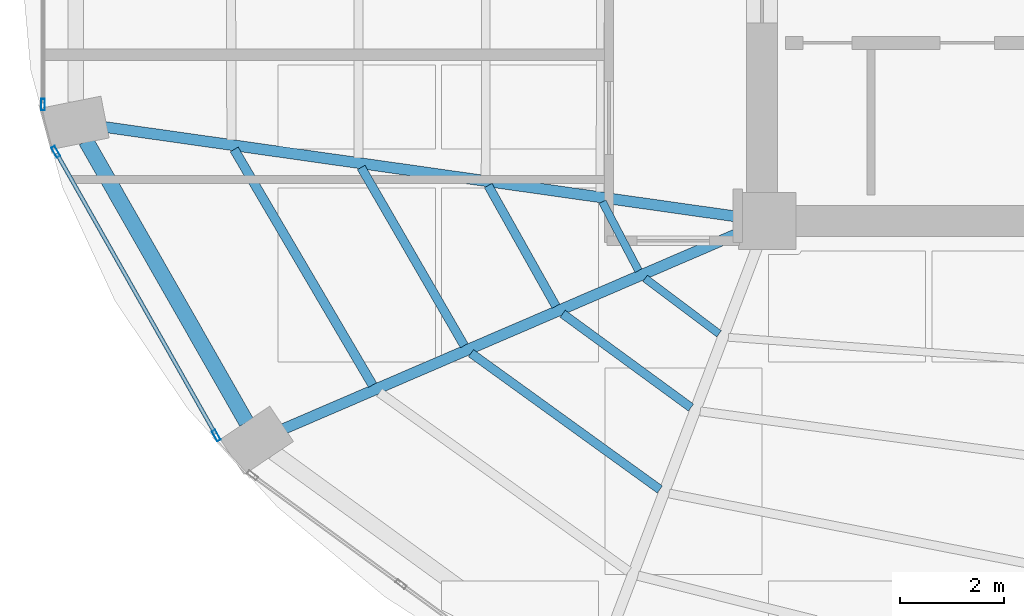
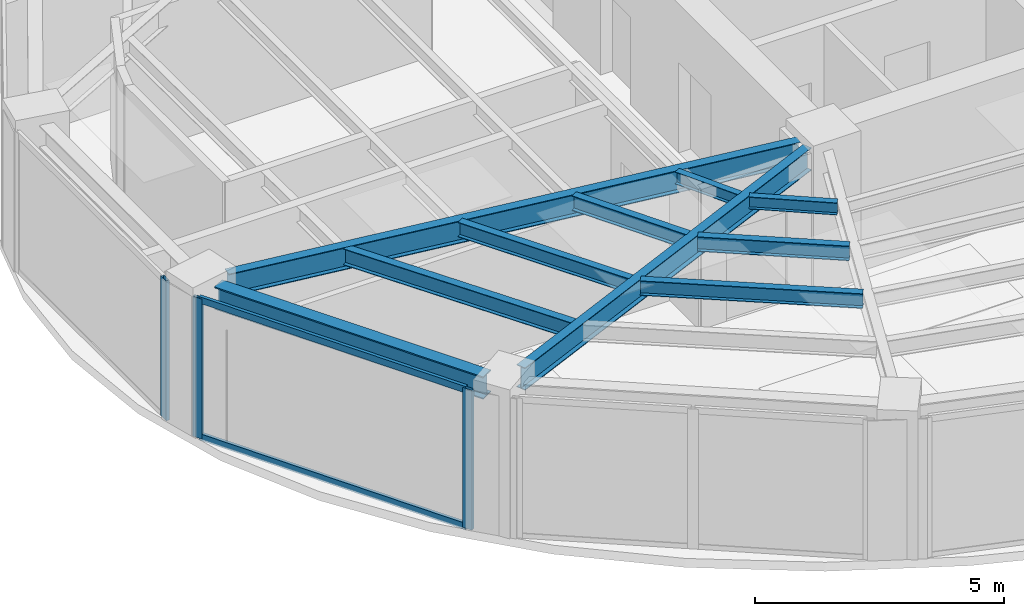
# One storey, part 3 of 20: 10 beams, 5 members, 2 elements without a shape of their own.
"""IFC4 building model written with IfcOpenShell, lengths in metres."""

import ifcopenshell
import ifcopenshell.guid

model = None  # the IFC model being written
_history = None  # IfcOwnerHistory: only IFC2X3 demands one
_inside = {}  # id of a spatial element -> (the spatial element, [elements in it])
_under = {}  # id of a project, library or spatial element -> (it, [spatial elements below it])
_declared = {}  # id of a project -> (the project, [libraries it declares])
_typed = {}  # id of a type object -> (the type object, [elements of that type])
_made_of = {}  # id of a material, layer set ... -> (it, [elements and type objects made of it])


def new_model(schema):
    """Start an empty IFC model of exactly this schema.

    Asked for "IFC4X3", IfcOpenShell would pick the latest addendum, in which some entities
    have other attributes; the version numbers below select the first issue.
    IFC2X3 requires an IfcOwnerHistory on every rooted entity: one is made here for all.
    """
    global model, _history
    if schema == "IFC4X3":
        model = ifcopenshell.file(schema_version=(4, 3, 0, 0))
    else:
        model = ifcopenshell.file(schema=schema)
    _inside.clear()
    _under.clear()
    _declared.clear()
    _typed.clear()
    _made_of.clear()
    _history = None
    if model.schema == "IFC2X3":
        org = make("IfcOrganization", Name="unknown")
        user = make(
            "IfcPersonAndOrganization",
            ThePerson=make("IfcPerson", FamilyName="unknown"),
            TheOrganization=org,
        )
        app = make(
            "IfcApplication",
            ApplicationDeveloper=org,
            Version="unknown",
            ApplicationFullName="unknown",
            ApplicationIdentifier="unknown",
        )
        _history = make(
            "IfcOwnerHistory",
            OwningUser=user,
            OwningApplication=app,
            ChangeAction="ADDED",
            CreationDate=0,
        )
    return model


def make(cls, **values):
    """One entity of the class cls with the attributes given. An attribute that is None is left unset."""
    return model.create_entity(
        cls, **{name: value for name, value in values.items() if value is not None}
    )


def rooted(cls, **values):
    """An entity with a GlobalId (a new one), such as an element, a storey or a relation."""
    return make(cls, GlobalId=ifcopenshell.guid.new(), OwnerHistory=_history, **values)


def si_unit(unit_type, name, prefix=None):
    """IfcSIUnit, for example si_unit("LENGTHUNIT", "METRE", prefix="MILLI")."""
    return make("IfcSIUnit", UnitType=unit_type, Prefix=prefix, Name=name)


def assignment(units):
    """IfcUnitAssignment: the units of a project."""
    return None if units is None else make("IfcUnitAssignment", Units=units)


def point(xyz):
    """IfcCartesianPoint."""
    return None if xyz is None else make("IfcCartesianPoint", Coordinates=xyz)


def direction(xyz):
    """IfcDirection."""
    return None if xyz is None else make("IfcDirection", DirectionRatios=xyz)


def frame(location, z_axis=None, x_axis=None):
    """IfcAxis2Placement3D, a coordinate frame: its origin and axes. An axis left out is left unset."""
    return make(
        "IfcAxis2Placement3D",
        Location=point(location),
        Axis=direction(z_axis),
        RefDirection=direction(x_axis),
    )


def frame_2d(location, x_axis=None):
    """IfcAxis2Placement2D, a coordinate frame in the plane: its origin and x axis."""
    return make(
        "IfcAxis2Placement2D", Location=point(location), RefDirection=direction(x_axis)
    )


def origin():
    """The frame at (0, 0, 0) with its axes left unset."""
    return frame((0.0, 0.0, 0.0))


def origin_2d():
    """The frame at (0, 0) in the plane with its x axis left unset."""
    return frame_2d((0.0, 0.0))


def place(relative_to, where):
    """IfcLocalPlacement: puts the frame where relative to a parent placement (None: the world)."""
    return make(
        "IfcLocalPlacement", PlacementRelTo=relative_to, RelativePlacement=where
    )


def context(
    kind, dimensions, precision=None, world=None, true_north=None, identifier=None
):
    """IfcGeometricRepresentationContext, for example the 3D "Model" context."""
    return make(
        "IfcGeometricRepresentationContext",
        ContextIdentifier=identifier,
        ContextType=kind,
        CoordinateSpaceDimension=dimensions,
        Precision=precision,
        WorldCoordinateSystem=world,
        TrueNorth=true_north,
    )


def subcontext(parent, identifier, kind, view, scale=None):
    """IfcGeometricRepresentationSubContext, for example "Body" below "Model"."""
    return make(
        "IfcGeometricRepresentationSubContext",
        ContextIdentifier=identifier,
        ContextType=kind,
        ParentContext=parent,
        TargetScale=scale,
        TargetView=view,
    )


def project(units=None, contexts=None):
    """IfcProject with its units and contexts."""
    return rooted(
        "IfcProject",
        Name="project",
        RepresentationContexts=contexts,
        UnitsInContext=assignment(units),
    )


def spatial(cls, under=None, at=None, **own):
    """A site, building, storey or space (cls), placed at a placement, below another one or the project."""
    s = rooted(cls, ObjectPlacement=at, **own)
    if under is not None:
        _under.setdefault(under.id(), (under, []))[1].append(s)
    return s


def profile(cls, at=None, kind="AREA", **sizes):
    """A parametric profile (cls). Its sizes go by their IFC names, for example OverallWidth=200.0."""
    return make(cls, ProfileType=kind, Position=at, **sizes)


def hollow_rectangle(**sizes):
    """IfcRectangleHollowProfileDef."""
    return profile("IfcRectangleHollowProfileDef", **sizes)


def i_section(**sizes):
    """IfcIShapeProfileDef."""
    return profile("IfcIShapeProfileDef", **sizes)


def extrude(swept, where, along, depth):
    """IfcExtrudedAreaSolid: the profile swept, set in the frame where, extruded along a direction by depth."""
    return make(
        "IfcExtrudedAreaSolid",
        SweptArea=swept,
        Position=where,
        ExtrudedDirection=direction(along),
        Depth=depth,
    )


def shape(context_of_items, identifier, shape_type, items):
    """IfcShapeRepresentation: the items that make up one representation, for example the "Body"."""
    return make(
        "IfcShapeRepresentation",
        ContextOfItems=context_of_items,
        RepresentationIdentifier=identifier,
        RepresentationType=shape_type,
        Items=items,
    )


def material(Name=None, Category=None):
    """IfcMaterial."""
    return make("IfcMaterial", Name=Name, Category=Category)


def layer(
    of_material, thickness, ventilated=None, Name=None, Category=None, Priority=None
):
    """IfcMaterialLayer: one layer of a wall or slab, of a material (None: an air gap)."""
    return make(
        "IfcMaterialLayer",
        Material=of_material,
        LayerThickness=thickness,
        IsVentilated=ventilated,
        Name=Name,
        Category=Category,
        Priority=Priority,
    )


def layer_set(layers, Name=None):
    """IfcMaterialLayerSet."""
    return make("IfcMaterialLayerSet", MaterialLayers=layers, LayerSetName=Name)


def material_profile(
    of_material, cross_section, Name=None, Category=None, Priority=None
):
    """IfcMaterialProfile: a cross section and its material."""
    return make(
        "IfcMaterialProfile",
        Name=Name,
        Material=of_material,
        Profile=cross_section,
        Priority=Priority,
        Category=Category,
    )


def profile_set(profiles, Name=None, composite=None):
    """IfcMaterialProfileSet."""
    return make(
        "IfcMaterialProfileSet",
        Name=Name,
        MaterialProfiles=profiles,
        CompositeProfile=composite,
    )


def made_of(thing, what):
    """Note that an element or type object is made of a material, layer set ...; save() writes the relation."""
    if what is not None:
        _made_of.setdefault(what.id(), (what, []))[1].append(thing)
    return thing


def type_object(cls, material=None, **own):
    """A type object (cls), such as IfcWallType, which elements share."""
    return made_of(rooted(cls, **own), material)


def element(
    cls,
    number,
    at=None,
    inside=None,
    cuts=None,
    type_object=None,
    material=None,
    context=None,
    identifier="Body",
    shape_type=None,
    held_by="IfcProductDefinitionShape",
    body=None,
    shapes=None,
    **own,
):
    """One element of the class cls, such as IfcWall. Its Tag is "e" and its number.

    at: its placement. inside: the storey or other place that contains it. cuts: it is an
    opening in that element (IfcRelVoidsElement). A single representation is given by context,
    identifier, shape_type and body (its items); several are given by shapes. held_by: the class
    of the entity that holds the representations. save() writes the other relations.
    """
    e = rooted(cls, Tag="e%d" % number, ObjectPlacement=at, **own)
    if body is not None:
        shapes = [shape(context, identifier, shape_type, body)]
    if shapes is not None:
        e.Representation = make(held_by, Representations=shapes)
    if inside is not None:
        _inside.setdefault(inside.id(), (inside, []))[1].append(e)
    if cuts is not None:
        rooted(
            "IfcRelVoidsElement", RelatingBuildingElement=cuts, RelatedOpeningElement=e
        )
    if type_object is not None:
        _typed.setdefault(type_object.id(), (type_object, []))[1].append(e)
    return made_of(e, material)


def aggregate(whole, parts):
    """IfcRelAggregates: a whole, such as a stair, and the parts it consists of."""
    return rooted("IfcRelAggregates", RelatingObject=whole, RelatedObjects=parts)


def save(model, path):
    """Write the relations noted so far, then the file.

    IfcRelAggregates (storeys below a building ...), IfcRelContainedInSpatialStructure (elements
    in a storey), IfcRelDefinesByType, IfcRelAssociatesMaterial and IfcRelDeclares: one each for
    every whole, place, type object, material and project.
    """
    for whole, parts in _under.values():
        aggregate(whole, parts)
    for where, things in _inside.values():
        rooted(
            "IfcRelContainedInSpatialStructure",
            RelatedElements=things,
            RelatingStructure=where,
        )
    for kind, things in _typed.values():
        rooted("IfcRelDefinesByType", RelatedObjects=things, RelatingType=kind)
    for what, things in _made_of.values():
        rooted("IfcRelAssociatesMaterial", RelatedObjects=things, RelatingMaterial=what)
    for by, libraries in _declared.values():
        rooted("IfcRelDeclares", RelatingContext=by, RelatedDefinitions=libraries)
    model.write(path)


model = new_model("IFC4")

# Units and contexts
model_context = context("Model", 3, precision=1e-05, world=origin(), true_north=direction((0.0, 1.0)))
body_context = subcontext(model_context, "Body", "Model", "MODEL_VIEW")
ifc_project = project(units=[si_unit("LENGTHUNIT", "METRE"), si_unit("AREAUNIT", "SQUARE_METRE"), si_unit("VOLUMEUNIT", "CUBIC_METRE"), si_unit("PLANEANGLEUNIT", "RADIAN"), si_unit("MASSUNIT", "GRAM", prefix="KILO")], contexts=[model_context])

# Site, building, storey
site_placement = place(None, origin())
site = spatial("IfcSite", under=ifc_project, at=site_placement, CompositionType="ELEMENT")
building_placement = place(site_placement, origin())
building = spatial("IfcBuilding", under=site, at=building_placement, Name="Lazwardi Medical Tower", CompositionType="ELEMENT")
storey_placement = place(building_placement, frame((0.0, 0.0, 182.06396484375)))
storey = spatial("IfcBuildingStorey", under=building, at=storey_placement, Name="L47", CompositionType="ELEMENT", Elevation=182.06396484375)

# Beams
ifc_material_1 = material(Name="Steel S355", Category="steel")
ifc_material_profile_1 = material_profile(ifc_material_1, i_section(OverallWidth=0.300048828125, OverallDepth=0.550048828125, WebThickness=0.014892578125, FlangeThickness=0.029052734375, at=origin_2d()), Name="HEB 550")
ifc_profile_set_1 = profile_set([ifc_material_profile_1], Name="Steel S355")
beam_type_1 = type_object("IfcBeamType", Name="BM-RB-Z3", PredefinedType="BEAM", material=ifc_profile_set_1)
beam_1_placement = place(storey_placement, frame((13.272216796875, 21.94091796875, 3.153076171875), z_axis=(0.495460926326, -0.868630226554, 0.0), x_axis=(0.868630226554, 0.495460926326, 0.0)))
element("IfcBeam", 1, at=beam_1_placement, inside=storey, type_object=beam_type_1, Name="Ring beam RB-04 B13 L47", PredefinedType="BEAM", context=body_context, shape_type="SweptSolid", body=[
    extrude(i_section(OverallWidth=0.300048828125, OverallDepth=0.550048828125, WebThickness=0.014892578125, FlangeThickness=0.029052734375, at=origin_2d()), origin(), (0.0, 0.0, 1.0), 6.24462890625),
])
ifc_material_profile_2 = material_profile(ifc_material_1, i_section(OverallWidth=0.2099609375, OverallDepth=0.550048828125, WebThickness=0.010986328125, FlangeThickness=0.01708984375, at=origin_2d()), Name="IPE 550")
ifc_profile_set_2 = profile_set([ifc_material_profile_2], Name="Steel S355")
beam_type_2 = type_object("IfcBeamType", Name="BM-RG-W2", PredefinedType="BEAM", material=ifc_profile_set_2)
beam_2_placement = place(storey_placement, frame((13.628662109375, 22.209716796875, 3.153076171875), z_axis=(0.99010958763, -0.140296131389, 0.0), x_axis=(0.140296131389, 0.99010958763, 0.0)))
element("IfcBeam", 2, at=beam_2_placement, inside=storey, type_object=beam_type_2, Name="Radial girder RG-03 R13 L47", PredefinedType="BEAM", context=body_context, shape_type="SweptSolid", body=[
    extrude(i_section(OverallWidth=0.2099609375, OverallDepth=0.550048828125, WebThickness=0.010986328125, FlangeThickness=0.01708984375, at=origin_2d()), origin(), (0.0, 0.0, 1.0), 12.364013671875),
])
beam_3_placement = place(storey_placement, frame((17.078857421875, 16.390380859375, 3.153076171875), z_axis=(0.918608156288, 0.395169653695, 0.0), x_axis=(-0.395169653695, 0.918608156288, 0.0)))
element("IfcBeam", 3, at=beam_3_placement, inside=storey, type_object=beam_type_2, Name="Radial girder RG-03 R14 L47", PredefinedType="BEAM", context=body_context, shape_type="SweptSolid", body=[
    extrude(i_section(OverallWidth=0.2099609375, OverallDepth=0.550048828125, WebThickness=0.010986328125, FlangeThickness=0.01708984375, at=origin_2d()), origin(), (0.0, 0.0, 1.0), 9.61181640625),
])
ifc_material_profile_3 = material_profile(ifc_material_1, i_section(OverallWidth=0.179931640625, OverallDepth=0.39990234375, WebThickness=0.008544921875, FlangeThickness=0.013427734375, at=origin_2d()), Name="IPE 400")
ifc_profile_set_3 = profile_set([ifc_material_profile_3], Name="Steel S355")
beam_type_3 = type_object("IfcBeamType", Name="BM-SJ-01", PredefinedType="JOIST", material=ifc_profile_set_3)
beam_4_placement = place(storey_placement, frame((16.127685546875, 21.776611328125, 3.22802734375), z_axis=(0.506420212881, -0.862286824662, 0.0), x_axis=(0.862286824662, 0.506420212881, 0.0)))
element("IfcBeam", 4, at=beam_4_placement, inside=storey, type_object=beam_type_3, Name="Secondary joist SJ-01 R1 B13 L47", PredefinedType="JOIST", context=body_context, shape_type="SweptSolid", body=[
    extrude(i_section(OverallWidth=0.179931640625, OverallDepth=0.39990234375, WebThickness=0.008544921875, FlangeThickness=0.013427734375, at=origin_2d()), origin(), (0.0, 0.0, 1.0), 5.265380859375),
])
ifc_material_profile_4 = material_profile(ifc_material_1, i_section(OverallWidth=0.169921875, OverallDepth=0.360107421875, WebThickness=0.008056640625, FlangeThickness=0.0126953125, at=origin_2d()), Name="IPE 360")
ifc_profile_set_4 = profile_set([ifc_material_profile_4], Name="Steel S355")
beam_type_4 = type_object("IfcBeamType", Name="BM-SJ-02", PredefinedType="JOIST", material=ifc_profile_set_4)
beam_5_placement = place(storey_placement, frame((18.5751953125, 21.42919921875, 3.248046875), z_axis=(0.500640648605, -0.865655209055, 0.0), x_axis=(0.865655209055, 0.500640648605, 0.0)))
element("IfcBeam", 5, at=beam_5_placement, inside=storey, type_object=beam_type_4, Name="Secondary joist SJ-02 R2 B13 L47", PredefinedType="JOIST", context=body_context, shape_type="SweptSolid", body=[
    extrude(i_section(OverallWidth=0.169921875, OverallDepth=0.360107421875, WebThickness=0.008056640625, FlangeThickness=0.0126953125, at=origin_2d()), origin(), (0.0, 0.0, 1.0), 3.965576171875),
])
beam_6_placement = place(storey_placement, frame((20.69189453125, 17.851318359375, 3.248046875), z_axis=(0.810738039179, -0.585409114917, 0.0), x_axis=(0.585409114917, 0.810738039179, 0.0)))
element("IfcBeam", 6, at=beam_6_placement, inside=storey, type_object=beam_type_4, Name="Secondary joist SJ-02 R2 B14 L47", PredefinedType="JOIST", context=body_context, shape_type="SweptSolid", body=[
    extrude(i_section(OverallWidth=0.169921875, OverallDepth=0.360107421875, WebThickness=0.008056640625, FlangeThickness=0.0126953125, at=origin_2d()), origin(), (0.0, 0.0, 1.0), 4.48779296875),
])
beam_7_placement = place(storey_placement, frame((21.022705078125, 21.081787109375, 3.248046875), z_axis=(0.489408945026, -0.872054404569, 0.0), x_axis=(0.872054404569, 0.489408945026, 0.0)))
element("IfcBeam", 7, at=beam_7_placement, inside=storey, type_object=beam_type_4, Name="Secondary joist SJ-02 R3 B13 L47", PredefinedType="JOIST", context=body_context, shape_type="SweptSolid", body=[
    extrude(i_section(OverallWidth=0.169921875, OverallDepth=0.360107421875, WebThickness=0.008056640625, FlangeThickness=0.0126953125, at=origin_2d()), origin(), (0.0, 0.0, 1.0), 2.666259765625),
])
beam_8_placement = place(storey_placement, frame((22.45751953125, 18.6103515625, 3.248046875), z_axis=(0.807285959008, -0.590160470033, 0.0), x_axis=(0.590160470033, 0.807285959008, 0.0)))
element("IfcBeam", 8, at=beam_8_placement, inside=storey, type_object=beam_type_4, Name="Secondary joist SJ-02 R3 B14 L47", PredefinedType="JOIST", context=body_context, shape_type="SweptSolid", body=[
    extrude(i_section(OverallWidth=0.169921875, OverallDepth=0.360107421875, WebThickness=0.008056640625, FlangeThickness=0.0126953125, at=origin_2d()), origin(), (0.0, 0.0, 1.0), 3.06298828125),
])
ifc_material_profile_5 = material_profile(ifc_material_1, i_section(OverallWidth=0.14990234375, OverallDepth=0.300048828125, WebThickness=0.007080078125, FlangeThickness=0.0107421875, at=origin_2d()), Name="IPE 300")
ifc_profile_set_5 = profile_set([ifc_material_profile_5], Name="Steel S355")
beam_type_5 = type_object("IfcBeamType", Name="BM-SJ-03", PredefinedType="JOIST", material=ifc_profile_set_5)
beam_9_placement = place(storey_placement, frame((23.2236328125, 20.768310546875, 3.278076171875), z_axis=(0.464469748171, -0.885588986513, 0.0), x_axis=(0.885588986513, 0.464469748171, 0.0)))
element("IfcBeam", 9, at=beam_9_placement, inside=storey, type_object=beam_type_5, Name="Secondary joist SJ-03 R4 B13 L47", PredefinedType="JOIST", context=body_context, shape_type="SweptSolid", body=[
    extrude(i_section(OverallWidth=0.14990234375, OverallDepth=0.300048828125, WebThickness=0.007080078125, FlangeThickness=0.0107421875, at=origin_2d()), origin(), (0.0, 0.0, 1.0), 1.498046875),
])
beam_10_placement = place(storey_placement, frame((24.0458984375, 19.29296875, 3.278076171875), z_axis=(0.799884834751, -0.600153522972, 0.0), x_axis=(0.600153522972, 0.799884834751, 0.0)))
element("IfcBeam", 10, at=beam_10_placement, inside=storey, type_object=beam_type_5, Name="Secondary joist SJ-03 R4 B14 L47", PredefinedType="JOIST", context=body_context, shape_type="SweptSolid", body=[
    extrude(i_section(OverallWidth=0.14990234375, OverallDepth=0.300048828125, WebThickness=0.007080078125, FlangeThickness=0.0107421875, at=origin_2d()), origin(), (0.0, 0.0, 1.0), 1.781005859375),
])

# Curtain wall, member
ifc_material_2 = material(Name="Anodised bronze aluminium and solar control glazing", Category="aluminium")
ifc_layer = layer(ifc_material_2, 0.195068359375)
ifc_layer_set = layer_set([ifc_layer], Name="Anodised bronze aluminium and solar control glazing")
curtain_wall_type = type_object("IfcCurtainWallType", Name="CW-SYS-03", PredefinedType="NOTDEFINED", material=ifc_layer_set)
curtain_wall_1_placement = place(storey_placement, origin())
curtain_wall_1 = element("IfcCurtainWall", 11, at=curtain_wall_1_placement, inside=storey, type_object=curtain_wall_type, Name="L47 Unitised bronze curtain wall CW-03", PredefinedType="NOTDEFINED")
ifc_material_3 = material(Name="Anodised bronze aluminium", Category="aluminium")
ifc_material_profile_6 = material_profile(ifc_material_3, hollow_rectangle(XDim=0.074951171875, YDim=0.219970703125, WallThickness=0.00390625, at=origin_2d()), Name="ALU-MULLION 220x75x4")
ifc_profile_set_6 = profile_set([ifc_material_profile_6], Name="Anodised bronze aluminium")
member_type_1 = type_object("IfcMemberType", Name="CW-MUL-01", PredefinedType="MULLION", material=ifc_profile_set_6)
member_1_placement = place(storey_placement, frame((12.4423828125, 22.64208984375, 0.0), z_axis=(0.0, 0.0, 1.0), x_axis=(1.0, 0.0, 0.0)))
member_1 = element("IfcMember", 12, at=member_1_placement, type_object=member_type_1, Name="CW-03 mullion 2", PredefinedType="MULLION", context=body_context, shape_type="SweptSolid", body=[
    extrude(hollow_rectangle(XDim=0.074951171875, YDim=0.219970703125, WallThickness=0.00390625, at=origin_2d()), origin(), (0.0, 0.0, 1.0), 3.427978515625),
])
aggregate(curtain_wall_1, [member_1])

# Curtain wall, members
curtain_wall_2_placement = place(storey_placement, origin())
curtain_wall_2 = element("IfcCurtainWall", 13, at=curtain_wall_2_placement, inside=storey, type_object=curtain_wall_type, Name="L47 Unitised bronze curtain wall CW-03", PredefinedType="NOTDEFINED")
member_2_placement = place(storey_placement, frame((12.68896484375, 21.732666015625, 0.0), z_axis=(0.0, 0.0, 1.0), x_axis=(0.870418989303, 0.492311672683, 0.0)))
member_2 = element("IfcMember", 14, at=member_2_placement, type_object=member_type_1, Name="CW-03 mullion 1", PredefinedType="MULLION", context=body_context, shape_type="SweptSolid", body=[
    extrude(hollow_rectangle(XDim=0.074951171875, YDim=0.219970703125, WallThickness=0.00390625, at=origin_2d()), origin(), (0.0, 0.0, 1.0), 3.427978515625),
])
member_3_placement = place(storey_placement, frame((15.782470703125, 16.26318359375, 0.0), z_axis=(0.0, 0.0, 1.0), x_axis=(0.870418989303, 0.492311672683, 0.0)))
member_3 = element("IfcMember", 15, at=member_3_placement, type_object=member_type_1, Name="CW-03 mullion 2", PredefinedType="MULLION", context=body_context, shape_type="SweptSolid", body=[
    extrude(hollow_rectangle(XDim=0.074951171875, YDim=0.219970703125, WallThickness=0.00390625, at=origin_2d()), origin(), (0.0, 0.0, 1.0), 3.427978515625),
])
ifc_material_profile_7 = material_profile(ifc_material_3, hollow_rectangle(XDim=0.074951171875, YDim=0.159912109375, WallThickness=0.00390625, at=origin_2d()), Name="ALU-TRANSOM 160x75x4")
ifc_profile_set_7 = profile_set([ifc_material_profile_7], Name="Anodised bronze aluminium")
member_type_2 = type_object("IfcMemberType", Name="CW-TRN-01", PredefinedType="USERDEFINED", material=ifc_profile_set_7)
member_4_placement = place(storey_placement, frame((12.707275390625, 21.7001953125, 0.03759765625), z_axis=(0.492306010269, -0.870422191958, 0.0), x_axis=(0.870422191958, 0.492306010269, 0.0)))
member_4 = element("IfcMember", 16, at=member_4_placement, type_object=member_type_2, Name="CW-03 transom 1.1", ObjectType="TRANSOM", PredefinedType="USERDEFINED", context=body_context, shape_type="SweptSolid", body=[
    extrude(hollow_rectangle(XDim=0.074951171875, YDim=0.159912109375, WallThickness=0.00390625, at=origin_2d()), origin(), (0.0, 0.0, 1.0), 6.208740234375),
])
member_5_placement = place(storey_placement, frame((12.707275390625, 21.7001953125, 3.390625), z_axis=(0.492306010269, -0.870422191958, 0.0), x_axis=(0.870422191958, 0.492306010269, 0.0)))
member_5 = element("IfcMember", 17, at=member_5_placement, type_object=member_type_2, Name="CW-03 transom 1.2", ObjectType="TRANSOM", PredefinedType="USERDEFINED", context=body_context, shape_type="SweptSolid", body=[
    extrude(hollow_rectangle(XDim=0.074951171875, YDim=0.159912109375, WallThickness=0.00390625, at=origin_2d()), origin(), (0.0, 0.0, 1.0), 6.208740234375),
])
aggregate(curtain_wall_2, [member_2, member_3, member_4, member_5])

save(model, "model.ifc")
